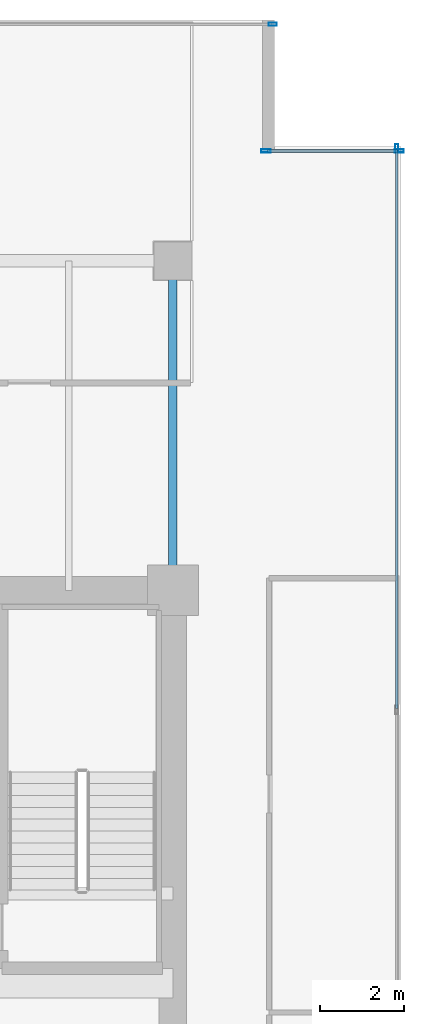
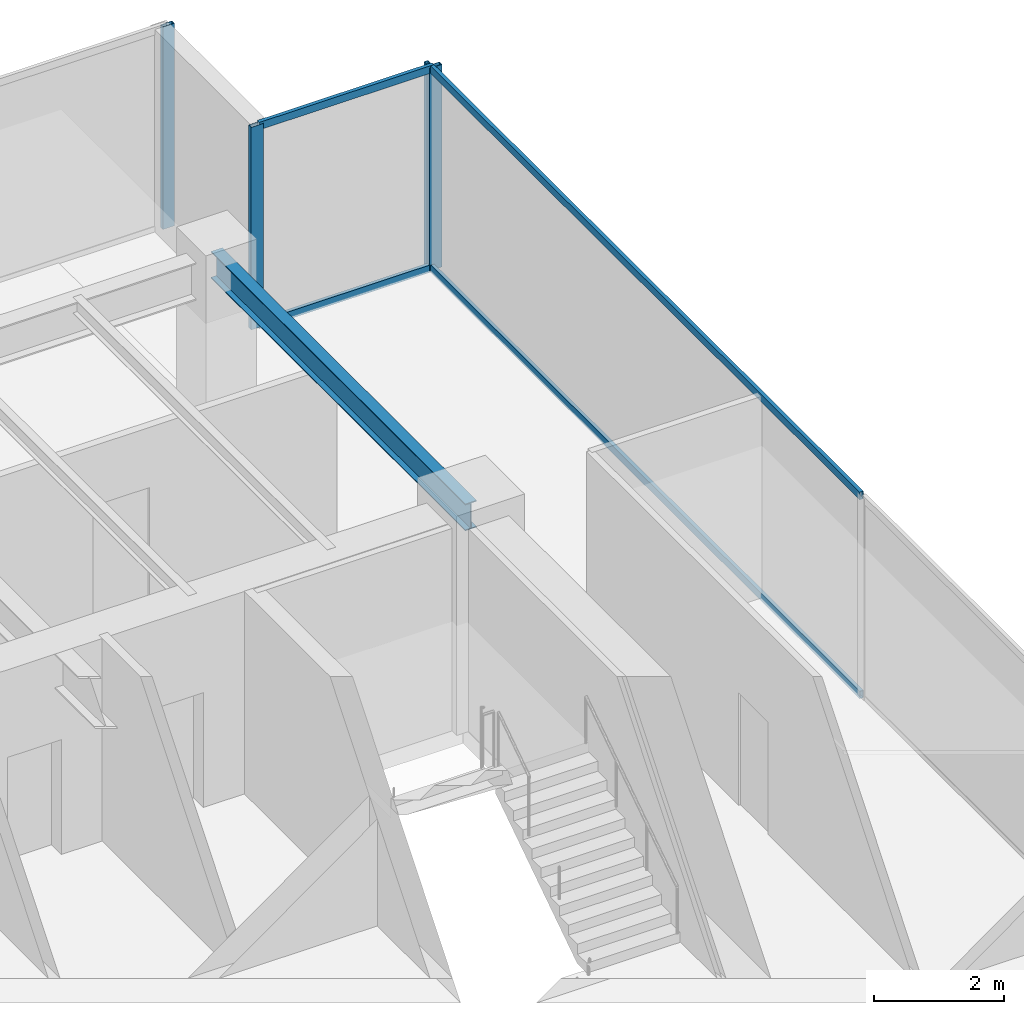
# One storey, part 23 of 33: 8 members, 1 beam, 3 elements without a shape of their own.
"""IFC4 building model written with IfcOpenShell, lengths in metres."""

from ifc_helpers import new_model, si_unit, direction, frame, origin, origin_2d, place, context, subcontext, project, spatial, hollow_rectangle, i_section, extrude, source, transform, mapped, material, layer, layer_set, material_profile, profile_set, type_object, type_shapes, element, aggregate, save


model = new_model("IFC4")

# Units and contexts
model_context = context("Model", 3, precision=1e-05, world=origin(), true_north=direction((0.0, 1.0)))
body_context = subcontext(model_context, "Body", "Model", "MODEL_VIEW")
ifc_project = project(units=[si_unit("LENGTHUNIT", "METRE"), si_unit("AREAUNIT", "SQUARE_METRE"), si_unit("VOLUMEUNIT", "CUBIC_METRE"), si_unit("PLANEANGLEUNIT", "RADIAN"), si_unit("MASSUNIT", "GRAM", prefix="KILO")], contexts=[model_context])

# Site, building, storey
site_placement = place(None, origin())
site = spatial("IfcSite", under=ifc_project, at=site_placement, CompositionType="ELEMENT")
building_placement = place(site_placement, origin())
building = spatial("IfcBuilding", under=site, at=building_placement, Name="Haelvirn Gate Laboratories", CompositionType="ELEMENT")
storey_placement = place(building_placement, frame((0.0, 0.0, 137.89990234375)))
storey = spatial("IfcBuildingStorey", under=building, at=storey_placement, Name="L33", CompositionType="ELEMENT", Elevation=137.89990234375)

# Beam
ifc_material_1 = material(Name="Steel SM355", Category="steel")
ifc_material_profile_1 = material_profile(ifc_material_1, i_section(OverallWidth=0.199951171875, OverallDepth=0.5, WebThickness=0.010009765625, FlangeThickness=0.01611328125, at=origin_2d()), Name="H-500x200x10x16")
ifc_profile_set_1 = profile_set([ifc_material_profile_1], Name="Steel SM355")
beam_type = type_object("IfcBeamType", Name="BM-SP-500", PredefinedType="SPANDREL", material=ifc_profile_set_1)
shared_shape_1 = source(origin(), body_context, "Body", "SweptSolid", [
    extrude(i_section(OverallWidth=0.199951171875, OverallDepth=0.5, WebThickness=0.010009765625, FlangeThickness=0.01611328125, at=origin_2d()), origin(), (0.0, 0.0, 1.0), 7.800048828125),
])
type_shapes(beam_type, [shared_shape_1])
beam_placement = place(storey_placement, frame((67.39990234375, 33.800048828125, 3.5400390625), z_axis=(0.0, 1.0, 0.0), x_axis=(-1.0, 0.0, 0.0)))
element("IfcBeam", 1, at=beam_placement, inside=storey, type_object=beam_type, Name="L33 Perimeter Spandrel X67.4 (33.8-41.6)", PredefinedType="SPANDREL", context=body_context, shape_type="MappedRepresentation", body=[
    mapped(shared_shape_1, transform((0.0, 0.0, 0.0), scale=1.0)),
])

# Curtain wall, members
ifc_material_2 = material(Name="Anodised bronze unitised aluminium & triple low-E glass", Category="aluminium")
ifc_layer_1 = layer(ifc_material_2, 0.181884765625, Name="CW-SYS-5")
ifc_layer_set_1 = layer_set([ifc_layer_1], Name="Anodised bronze unitised aluminium & triple low-E glass")
curtain_wall_type_1 = type_object("IfcCurtainWallType", Name="CW-SYS-5", PredefinedType="NOTDEFINED", material=ifc_layer_set_1)
curtain_wall_1_placement = place(storey_placement, origin())
curtain_wall_1 = element("IfcCurtainWall", 2, at=curtain_wall_1_placement, inside=storey, type_object=curtain_wall_type_1, Name="L33 Unitised Curtain Wall CW-L33-P0-E08-1", PredefinedType="NOTDEFINED")
ifc_material_3 = material(Name="Extruded aluminium 6063-T6 (anodised bronze)", Category="aluminium")
ifc_material_profile_2 = material_profile(ifc_material_3, hollow_rectangle(XDim=0.06494140625, YDim=0.139892578125, WallThickness=0.00390625, at=origin_2d()), Name="CWT-140x65x4")
ifc_profile_set_2 = profile_set([ifc_material_profile_2], Name="Extruded aluminium 6063-T6 (anodised bronze)")
member_type_1 = type_object("IfcMemberType", Name="CWT-T140", PredefinedType="USERDEFINED", material=ifc_profile_set_2)
shared_shape_2 = source(origin(), body_context, "Body", "SweptSolid", [
    extrude(hollow_rectangle(XDim=0.06494140625, YDim=0.139892578125, WallThickness=0.00390625, at=origin_2d()), origin(), (0.0, 0.0, 1.0), 3.080078125),
])
member_1_placement = place(storey_placement, frame((69.639892578125, 44.199951171875, 0.03271484375), z_axis=(1.0, 0.0, 0.0), x_axis=(0.0, 1.0, 0.0)))
member_1 = element("IfcMember", 3, at=member_1_placement, type_object=member_type_1, Name="CW5 transom 1.1", ObjectType="TRANSOM", PredefinedType="USERDEFINED", context=body_context, shape_type="MappedRepresentation", body=[
    mapped(shared_shape_2, transform((0.0, 0.0, 0.0), scale=1.0)),
])
member_2_placement = place(storey_placement, frame((69.639892578125, 44.199951171875, 3.757568359375), z_axis=(1.0, 0.0, 0.0), x_axis=(0.0, 1.0, 0.0)))
member_2 = element("IfcMember", 4, at=member_2_placement, type_object=member_type_1, Name="CW5 transom 1.2", ObjectType="TRANSOM", PredefinedType="USERDEFINED", context=body_context, shape_type="MappedRepresentation", body=[
    mapped(shared_shape_2, transform((0.0, 0.0, 0.0), scale=1.0)),
])

ifc_layer_2 = layer(ifc_material_2, 0.179931640625, Name="CW-SYS-3")
ifc_layer_set_2 = layer_set([ifc_layer_2], Name="Anodised bronze unitised aluminium & triple low-E glass")
curtain_wall_type_2 = type_object("IfcCurtainWallType", Name="CW-SYS-3", PredefinedType="NOTDEFINED", material=ifc_layer_set_2)
curtain_wall_2_placement = place(storey_placement, origin())
curtain_wall_2 = element("IfcCurtainWall", 5, at=curtain_wall_2_placement, inside=storey, type_object=curtain_wall_type_2, Name="L33 Unitised Curtain Wall CW-L33-P0-E07", PredefinedType="NOTDEFINED")
shared_shape_3 = source(origin(), body_context, "Body", "SweptSolid", [
    extrude(hollow_rectangle(XDim=0.06494140625, YDim=0.139892578125, WallThickness=0.00390625, at=origin_2d()), origin(), (0.0, 0.0, 1.0), 13.220947265625),
])
type_shapes(member_type_1, [shared_shape_2, shared_shape_3])
member_3_placement = place(storey_placement, frame((72.699951171875, 31.004150390625, 0.03271484375), z_axis=(0.0, 1.0, 0.0), x_axis=(-1.0, 0.0, 0.0)))
member_3 = element("IfcMember", 6, at=member_3_placement, type_object=member_type_1, Name="CW3 transom 3.1", ObjectType="TRANSOM", PredefinedType="USERDEFINED", context=body_context, shape_type="MappedRepresentation", body=[
    mapped(shared_shape_3, transform((0.0, 0.0, 0.0), scale=1.0)),
])
member_4_placement = place(storey_placement, frame((72.699951171875, 31.004150390625, 3.757568359375), z_axis=(0.0, 1.0, 0.0), x_axis=(-1.0, 0.0, 0.0)))
member_4 = element("IfcMember", 7, at=member_4_placement, type_object=member_type_1, Name="CW3 transom 3.2", ObjectType="TRANSOM", PredefinedType="USERDEFINED", context=body_context, shape_type="MappedRepresentation", body=[
    mapped(shared_shape_3, transform((0.0, 0.0, 0.0), scale=1.0)),
])
ifc_material_profile_3 = material_profile(ifc_material_3, hollow_rectangle(XDim=0.074951171875, YDim=0.199951171875, WallThickness=0.0048828125, at=origin_2d()), Name="CWM-200x75x5")
ifc_profile_set_3 = profile_set([ifc_material_profile_3], Name="Extruded aluminium 6063-T6 (anodised bronze)")
member_type_2 = type_object("IfcMemberType", Name="CWM-T200", PredefinedType="MULLION", material=ifc_profile_set_3)
shared_shape_4 = source(origin(), body_context, "Body", "SweptSolid", [
    extrude(hollow_rectangle(XDim=0.074951171875, YDim=0.199951171875, WallThickness=0.0048828125, at=origin_2d()), origin(), (0.0, 0.0, 1.0), 3.7900390625),
])
type_shapes(member_type_2, [shared_shape_4])
member_5_placement = place(storey_placement, frame((72.699951171875, 44.262451171875, 0.0), z_axis=(0.0, 0.0, 1.0), x_axis=(-1.0, 0.0, 0.0)))
member_5 = element("IfcMember", 8, at=member_5_placement, type_object=member_type_2, Name="CW3 mullion 4", PredefinedType="MULLION", context=body_context, shape_type="MappedRepresentation", body=[
    mapped(shared_shape_4, transform((0.0, 0.0, 0.0), scale=1.0)),
])
aggregate(curtain_wall_2, [member_5, member_3, member_4])

# Curtain wall, member
curtain_wall_3_placement = place(storey_placement, origin())
curtain_wall_3 = element("IfcCurtainWall", 9, at=curtain_wall_3_placement, inside=storey, type_object=curtain_wall_type_2, Name="L33 Unitised Curtain Wall CW-L33-P0-E10-1", PredefinedType="NOTDEFINED")
member_6_placement = place(storey_placement, frame((69.762451171875, 47.199951171875, 0.0), z_axis=(0.0, 0.0, 1.0), x_axis=(0.0, 1.0, 0.0)))
member_6 = element("IfcMember", 10, at=member_6_placement, type_object=member_type_2, Name="CW3 mullion 3", PredefinedType="MULLION", context=body_context, shape_type="MappedRepresentation", body=[
    mapped(shared_shape_4, transform((0.0, 0.0, 0.0), scale=1.0)),
])
aggregate(curtain_wall_3, [member_6])

# Member
ifc_material_profile_4 = material_profile(ifc_material_3, hollow_rectangle(XDim=0.080078125, YDim=0.219970703125, WallThickness=0.006103515625, at=origin_2d()), Name="CWM-220x80x6")
ifc_profile_set_4 = profile_set([ifc_material_profile_4], Name="Extruded aluminium 6063-T6 (anodised bronze)")
member_type_3 = type_object("IfcMemberType", Name="CWM-T220", PredefinedType="MULLION", material=ifc_profile_set_4)
shared_shape_5 = source(origin(), body_context, "Body", "SweptSolid", [
    extrude(hollow_rectangle(XDim=0.080078125, YDim=0.219970703125, WallThickness=0.006103515625, at=origin_2d()), origin(), (0.0, 0.0, 1.0), 3.7900390625),
])
type_shapes(member_type_3, [shared_shape_5])
member_7_placement = place(storey_placement, frame((69.60009765625, 44.199951171875, 0.0), z_axis=(0.0, 0.0, 1.0), x_axis=(0.0, 1.0, 0.0)))
member_7 = element("IfcMember", 11, at=member_7_placement, type_object=member_type_3, Name="CW5 mullion 1", PredefinedType="MULLION", context=body_context, shape_type="MappedRepresentation", body=[
    mapped(shared_shape_5, transform((0.0, 0.0, 0.0), scale=1.0)),
])

member_8_placement = place(storey_placement, frame((72.760009765625, 44.199951171875, 0.0), z_axis=(0.0, 0.0, 1.0), x_axis=(0.0, 1.0, 0.0)))
member_8 = element("IfcMember", 12, at=member_8_placement, type_object=member_type_3, Name="CW5 mullion 2", PredefinedType="MULLION", context=body_context, shape_type="MappedRepresentation", body=[
    mapped(shared_shape_5, transform((0.0, 0.0, 0.0), scale=1.0)),
])

aggregate(curtain_wall_1, [member_7, member_8, member_1, member_2])

save(model, "model.ifc")
